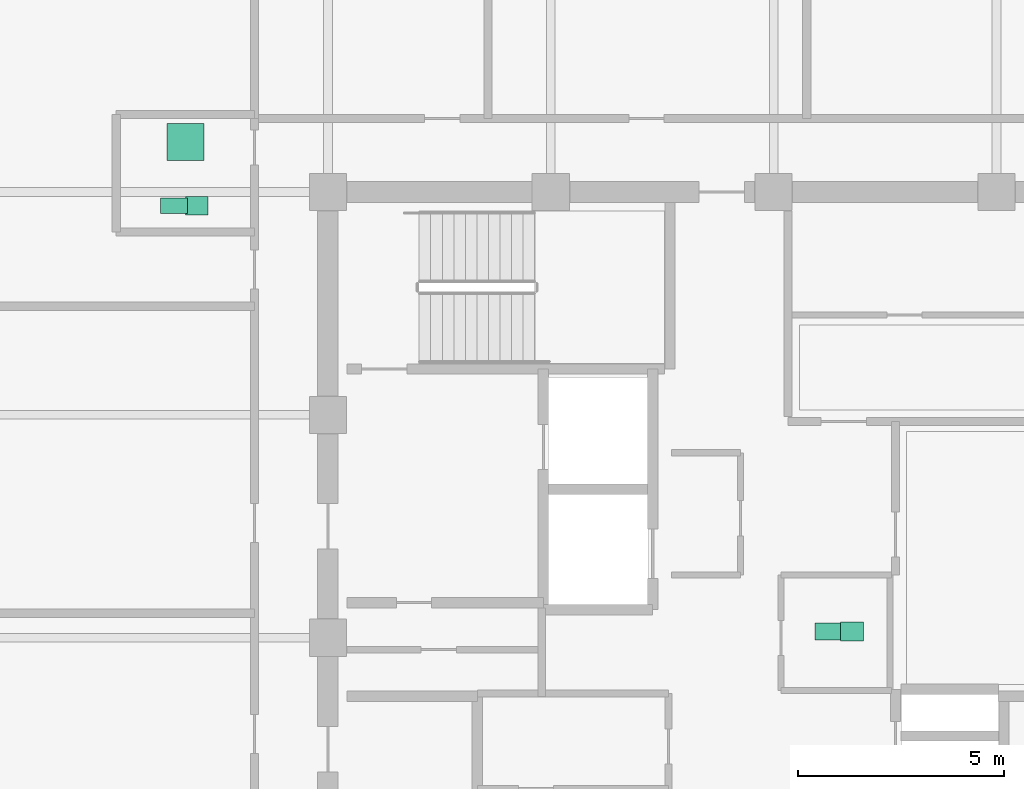
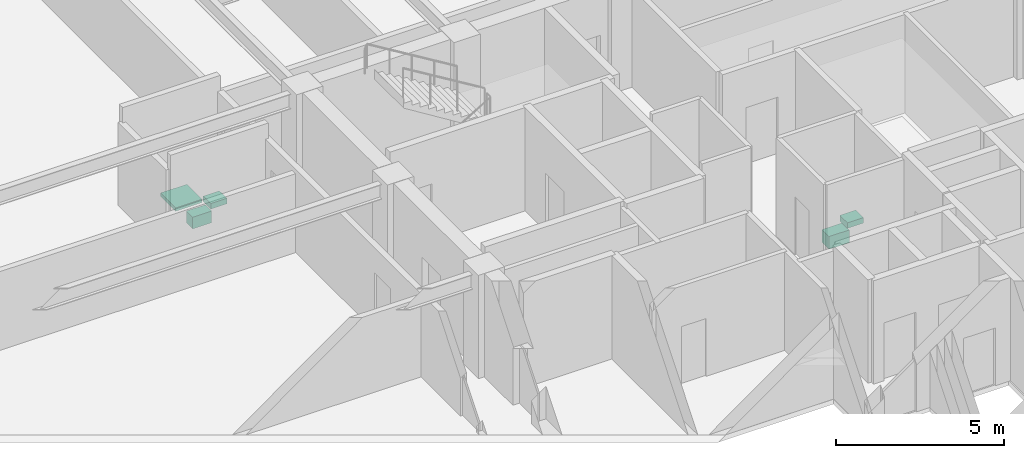
# One storey, part 29 of 29: 5 sanitary terminals.
"""IFC4 building model written with IfcOpenShell, lengths in metres."""

import ifcopenshell
import ifcopenshell.guid

model = None  # the IFC model being written
_history = None  # IfcOwnerHistory: only IFC2X3 demands one
_inside = {}  # id of a spatial element -> (the spatial element, [elements in it])
_under = {}  # id of a project, library or spatial element -> (it, [spatial elements below it])
_declared = {}  # id of a project -> (the project, [libraries it declares])
_typed = {}  # id of a type object -> (the type object, [elements of that type])
_made_of = {}  # id of a material, layer set ... -> (it, [elements and type objects made of it])


def new_model(schema):
    """Start an empty IFC model of exactly this schema.

    Asked for "IFC4X3", IfcOpenShell would pick the latest addendum, in which some entities
    have other attributes; the version numbers below select the first issue.
    IFC2X3 requires an IfcOwnerHistory on every rooted entity: one is made here for all.
    """
    global model, _history
    if schema == "IFC4X3":
        model = ifcopenshell.file(schema_version=(4, 3, 0, 0))
    else:
        model = ifcopenshell.file(schema=schema)
    _inside.clear()
    _under.clear()
    _declared.clear()
    _typed.clear()
    _made_of.clear()
    _history = None
    if model.schema == "IFC2X3":
        org = make("IfcOrganization", Name="unknown")
        user = make(
            "IfcPersonAndOrganization",
            ThePerson=make("IfcPerson", FamilyName="unknown"),
            TheOrganization=org,
        )
        app = make(
            "IfcApplication",
            ApplicationDeveloper=org,
            Version="unknown",
            ApplicationFullName="unknown",
            ApplicationIdentifier="unknown",
        )
        _history = make(
            "IfcOwnerHistory",
            OwningUser=user,
            OwningApplication=app,
            ChangeAction="ADDED",
            CreationDate=0,
        )
    return model


def make(cls, **values):
    """One entity of the class cls with the attributes given. An attribute that is None is left unset."""
    return model.create_entity(
        cls, **{name: value for name, value in values.items() if value is not None}
    )


def rooted(cls, **values):
    """An entity with a GlobalId (a new one), such as an element, a storey or a relation."""
    return make(cls, GlobalId=ifcopenshell.guid.new(), OwnerHistory=_history, **values)


def si_unit(unit_type, name, prefix=None):
    """IfcSIUnit, for example si_unit("LENGTHUNIT", "METRE", prefix="MILLI")."""
    return make("IfcSIUnit", UnitType=unit_type, Prefix=prefix, Name=name)


def assignment(units):
    """IfcUnitAssignment: the units of a project."""
    return None if units is None else make("IfcUnitAssignment", Units=units)


def point(xyz):
    """IfcCartesianPoint."""
    return None if xyz is None else make("IfcCartesianPoint", Coordinates=xyz)


def direction(xyz):
    """IfcDirection."""
    return None if xyz is None else make("IfcDirection", DirectionRatios=xyz)


def frame(location, z_axis=None, x_axis=None):
    """IfcAxis2Placement3D, a coordinate frame: its origin and axes. An axis left out is left unset."""
    return make(
        "IfcAxis2Placement3D",
        Location=point(location),
        Axis=direction(z_axis),
        RefDirection=direction(x_axis),
    )


def frame_2d(location, x_axis=None):
    """IfcAxis2Placement2D, a coordinate frame in the plane: its origin and x axis."""
    return make(
        "IfcAxis2Placement2D", Location=point(location), RefDirection=direction(x_axis)
    )


def origin():
    """The frame at (0, 0, 0) with its axes left unset."""
    return frame((0.0, 0.0, 0.0))


def origin_2d():
    """The frame at (0, 0) in the plane with its x axis left unset."""
    return frame_2d((0.0, 0.0))


def place(relative_to, where):
    """IfcLocalPlacement: puts the frame where relative to a parent placement (None: the world)."""
    return make(
        "IfcLocalPlacement", PlacementRelTo=relative_to, RelativePlacement=where
    )


def context(
    kind, dimensions, precision=None, world=None, true_north=None, identifier=None
):
    """IfcGeometricRepresentationContext, for example the 3D "Model" context."""
    return make(
        "IfcGeometricRepresentationContext",
        ContextIdentifier=identifier,
        ContextType=kind,
        CoordinateSpaceDimension=dimensions,
        Precision=precision,
        WorldCoordinateSystem=world,
        TrueNorth=true_north,
    )


def subcontext(parent, identifier, kind, view, scale=None):
    """IfcGeometricRepresentationSubContext, for example "Body" below "Model"."""
    return make(
        "IfcGeometricRepresentationSubContext",
        ContextIdentifier=identifier,
        ContextType=kind,
        ParentContext=parent,
        TargetScale=scale,
        TargetView=view,
    )


def project(units=None, contexts=None):
    """IfcProject with its units and contexts."""
    return rooted(
        "IfcProject",
        Name="project",
        RepresentationContexts=contexts,
        UnitsInContext=assignment(units),
    )


def spatial(cls, under=None, at=None, **own):
    """A site, building, storey or space (cls), placed at a placement, below another one or the project."""
    s = rooted(cls, ObjectPlacement=at, **own)
    if under is not None:
        _under.setdefault(under.id(), (under, []))[1].append(s)
    return s


def profile(cls, at=None, kind="AREA", **sizes):
    """A parametric profile (cls). Its sizes go by their IFC names, for example OverallWidth=200.0."""
    return make(cls, ProfileType=kind, Position=at, **sizes)


def rectangle(**sizes):
    """IfcRectangleProfileDef."""
    return profile("IfcRectangleProfileDef", **sizes)


def extrude(swept, where, along, depth):
    """IfcExtrudedAreaSolid: the profile swept, set in the frame where, extruded along a direction by depth."""
    return make(
        "IfcExtrudedAreaSolid",
        SweptArea=swept,
        Position=where,
        ExtrudedDirection=direction(along),
        Depth=depth,
    )


def shape(context_of_items, identifier, shape_type, items):
    """IfcShapeRepresentation: the items that make up one representation, for example the "Body"."""
    return make(
        "IfcShapeRepresentation",
        ContextOfItems=context_of_items,
        RepresentationIdentifier=identifier,
        RepresentationType=shape_type,
        Items=items,
    )


def material(Name=None, Category=None):
    """IfcMaterial."""
    return make("IfcMaterial", Name=Name, Category=Category)


def made_of(thing, what):
    """Note that an element or type object is made of a material, layer set ...; save() writes the relation."""
    if what is not None:
        _made_of.setdefault(what.id(), (what, []))[1].append(thing)
    return thing


def type_object(cls, material=None, **own):
    """A type object (cls), such as IfcWallType, which elements share."""
    return made_of(rooted(cls, **own), material)


def element(
    cls,
    number,
    at=None,
    inside=None,
    cuts=None,
    type_object=None,
    material=None,
    context=None,
    identifier="Body",
    shape_type=None,
    held_by="IfcProductDefinitionShape",
    body=None,
    shapes=None,
    **own,
):
    """One element of the class cls, such as IfcWall. Its Tag is "e" and its number.

    at: its placement. inside: the storey or other place that contains it. cuts: it is an
    opening in that element (IfcRelVoidsElement). A single representation is given by context,
    identifier, shape_type and body (its items); several are given by shapes. held_by: the class
    of the entity that holds the representations. save() writes the other relations.
    """
    e = rooted(cls, Tag="e%d" % number, ObjectPlacement=at, **own)
    if body is not None:
        shapes = [shape(context, identifier, shape_type, body)]
    if shapes is not None:
        e.Representation = make(held_by, Representations=shapes)
    if inside is not None:
        _inside.setdefault(inside.id(), (inside, []))[1].append(e)
    if cuts is not None:
        rooted(
            "IfcRelVoidsElement", RelatingBuildingElement=cuts, RelatedOpeningElement=e
        )
    if type_object is not None:
        _typed.setdefault(type_object.id(), (type_object, []))[1].append(e)
    return made_of(e, material)


def aggregate(whole, parts):
    """IfcRelAggregates: a whole, such as a stair, and the parts it consists of."""
    return rooted("IfcRelAggregates", RelatingObject=whole, RelatedObjects=parts)


def save(model, path):
    """Write the relations noted so far, then the file.

    IfcRelAggregates (storeys below a building ...), IfcRelContainedInSpatialStructure (elements
    in a storey), IfcRelDefinesByType, IfcRelAssociatesMaterial and IfcRelDeclares: one each for
    every whole, place, type object, material and project.
    """
    for whole, parts in _under.values():
        aggregate(whole, parts)
    for where, things in _inside.values():
        rooted(
            "IfcRelContainedInSpatialStructure",
            RelatedElements=things,
            RelatingStructure=where,
        )
    for kind, things in _typed.values():
        rooted("IfcRelDefinesByType", RelatedObjects=things, RelatingType=kind)
    for what, things in _made_of.values():
        rooted("IfcRelAssociatesMaterial", RelatedObjects=things, RelatingMaterial=what)
    for by, libraries in _declared.values():
        rooted("IfcRelDeclares", RelatingContext=by, RelatedDefinitions=libraries)
    model.write(path)


model = new_model("IFC4")

# Units and contexts
model_context = context("Model", 3, precision=1e-05, world=origin(), true_north=direction((0.0, 1.0)))
body_context = subcontext(model_context, "Body", "Model", "MODEL_VIEW")
ifc_project = project(units=[si_unit("LENGTHUNIT", "METRE"), si_unit("AREAUNIT", "SQUARE_METRE"), si_unit("VOLUMEUNIT", "CUBIC_METRE"), si_unit("PLANEANGLEUNIT", "RADIAN"), si_unit("MASSUNIT", "GRAM", prefix="KILO")], contexts=[model_context])

# Site, building, storey
site_placement = place(None, origin())
site = spatial("IfcSite", under=ifc_project, at=site_placement, CompositionType="ELEMENT")
building_placement = place(site_placement, origin())
building = spatial("IfcBuilding", under=site, at=building_placement, Name="Surkhivell Harbour Commons", CompositionType="ELEMENT")
storey_placement = place(building_placement, frame((0.0, 0.0, 277.5)))
storey = spatial("IfcBuildingStorey", under=building, at=storey_placement, Name="L72", CompositionType="ELEMENT", Elevation=277.5)

# Sanitary terminals
ifc_material_1 = material(Name="Vitreous china washbasin", Category="other")
sanitary_terminal_type_1 = type_object("IfcSanitaryTerminalType", Name="SAN-BSN", PredefinedType="WASHHANDBASIN", material=ifc_material_1)
for number, where, z_axis, x_axis, name in (
    (1, (1.89990234375, 0.14990234375, 0.72021484375), (0.0, 0.0, 1.0), (1.0, 0.0, 0.0), "L72 Core Accessible WC Washbasin"),
    (2, (-13.97998046875, 10.469970703125, 0.72021484375), (0.0, 0.0, 1.0), (1.0, 0.0, 0.0), "L72 West Communal Bathroom WC Washbasin"),
):
    element("IfcSanitaryTerminal", number, at=place(storey_placement, frame(where, z_axis=z_axis, x_axis=x_axis)), inside=storey, type_object=sanitary_terminal_type_1, Name=name, PredefinedType="WASHHANDBASIN", context=body_context, shape_type="SweptSolid", body=[
        extrude(rectangle(XDim=0.550048828125, YDim=0.449951171875, at=origin_2d()), origin(), (0.0, 0.0, 1.0), 0.199951171875),
    ])
ifc_material_2 = material(Name="Glazed porcelain shower tray", Category="other")
sanitary_terminal_type_2 = type_object("IfcSanitaryTerminalType", Name="SAN-SHW", PredefinedType="SHOWER", material=ifc_material_2)
sanitary_terminal_1_placement = place(storey_placement, frame((-14.25, 12.010009765625, 0.0), z_axis=(0.0, 0.0, 1.0), x_axis=(1.0, 0.0, 0.0)))
element("IfcSanitaryTerminal", 3, at=sanitary_terminal_1_placement, inside=storey, type_object=sanitary_terminal_type_2, Name="L72 West Communal Shower Tray", PredefinedType="SHOWER", context=body_context, shape_type="SweptSolid", body=[
    extrude(rectangle(XDim=0.89990234375, YDim=0.89990234375, at=origin_2d()), origin(), (0.0, 0.0, 1.0), 0.1201171875),
])
ifc_material_3 = material(Name="Vitreous china sanitaryware", Category="other")
sanitary_terminal_type_3 = type_object("IfcSanitaryTerminalType", Name="SAN-WC-ACC", PredefinedType="TOILETPAN", material=ifc_material_3)
sanitary_terminal_2_placement = place(storey_placement, frame((1.35009765625, 0.14990234375, 0.169921875), z_axis=(0.0, 0.0, 1.0), x_axis=(1.0, 0.0, 0.0)))
element("IfcSanitaryTerminal", 4, at=sanitary_terminal_2_placement, inside=storey, type_object=sanitary_terminal_type_3, Name="L72 Core Accessible WC", PredefinedType="TOILETPAN", context=body_context, shape_type="SweptSolid", body=[
    extrude(rectangle(XDim=0.699951171875, YDim=0.419921875, at=origin_2d()), origin(), (0.0, 0.0, 1.0), 0.4599609375),
])
sanitary_terminal_type_4 = type_object("IfcSanitaryTerminalType", Name="SAN-WC-STD", PredefinedType="TOILETPAN", material=ifc_material_3)
sanitary_terminal_3_placement = place(storey_placement, frame((-14.530029296875, 10.469970703125, 0.18994140625), z_axis=(0.0, 0.0, 1.0), x_axis=(1.0, 0.0, 0.0)))
element("IfcSanitaryTerminal", 5, at=sanitary_terminal_3_placement, inside=storey, type_object=sanitary_terminal_type_4, Name="L72 West Communal Bathroom WC", PredefinedType="TOILETPAN", context=body_context, shape_type="SweptSolid", body=[
    extrude(rectangle(XDim=0.64990234375, YDim=0.3798828125, at=origin_2d()), origin(), (0.0, 0.0, 1.0), 0.419921875),
])

save(model, "model.ifc")
